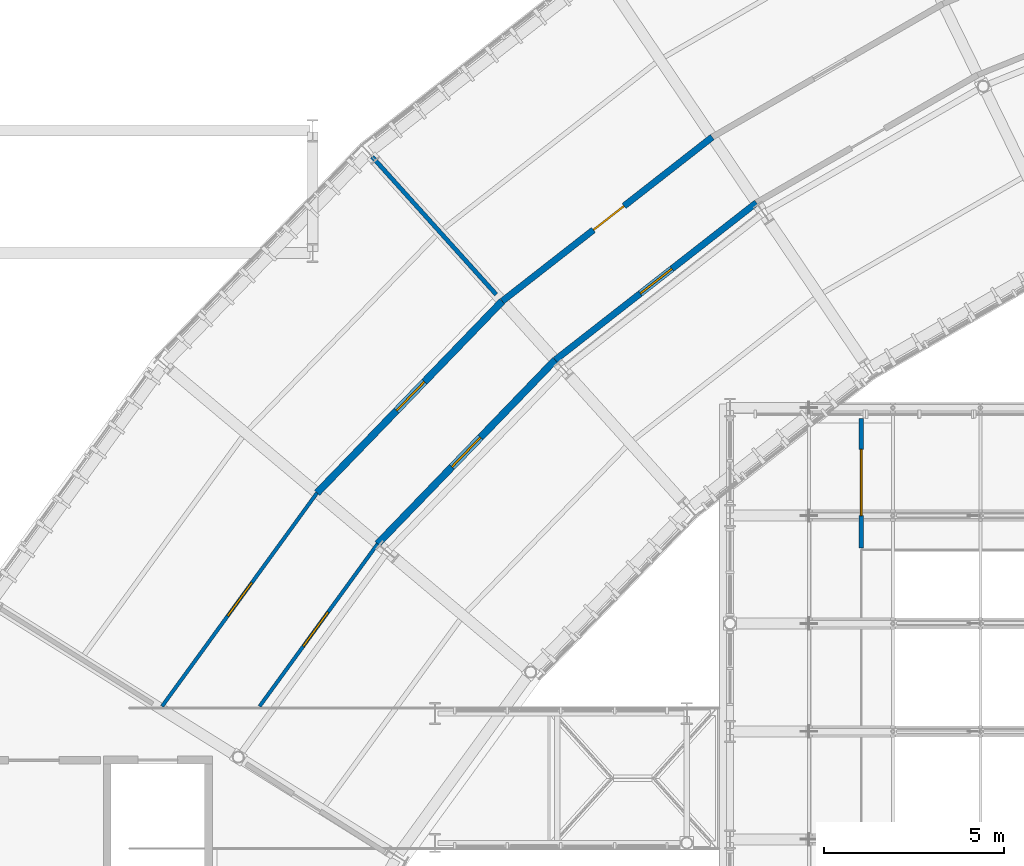
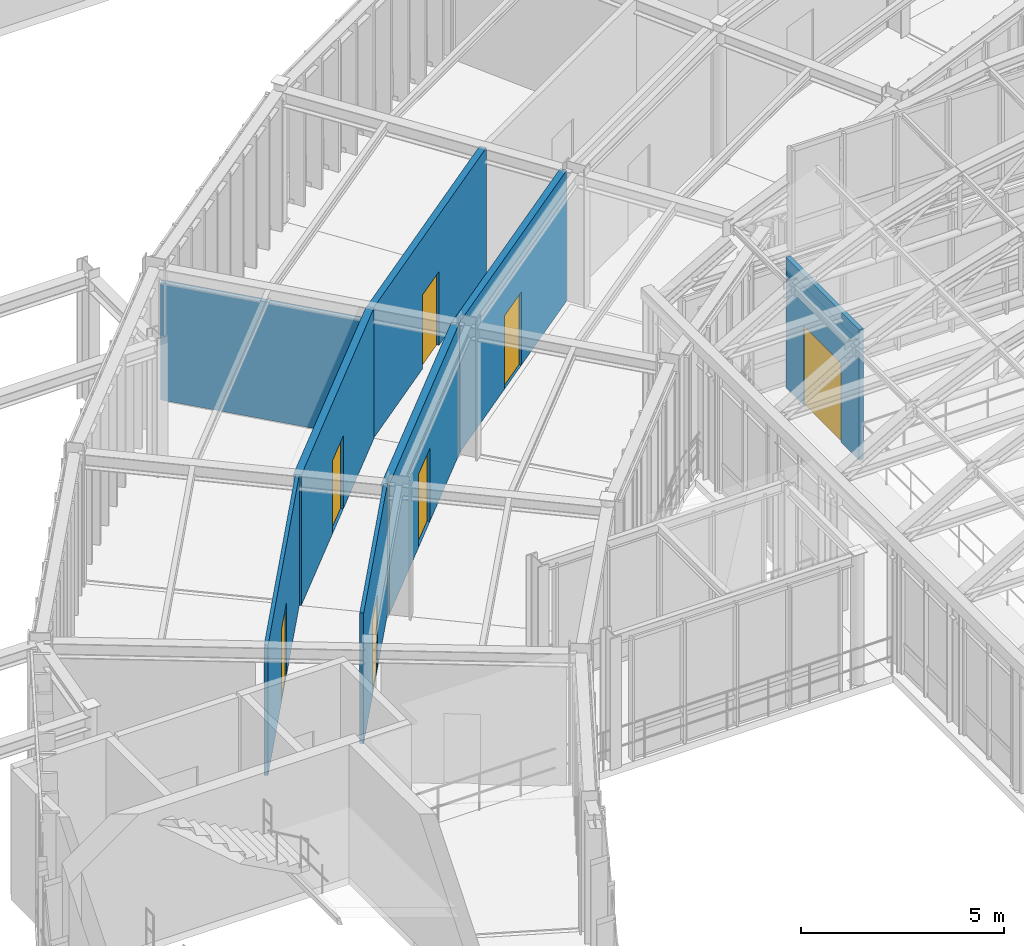
# One storey, part 127 of 148: 8 walls, 7 doors, 7 openings.
"""IFC4 building model written with IfcOpenShell, lengths in metres."""

from ifc_helpers import new_model, si_unit, direction, frame, frame_2d, origin, place, context, subcontext, project, spatial, rectangle, extrude, material, layer, layer_set, type_object, element, fill, save


model = new_model("IFC4")

# Units and contexts
model_context = context("Model", 3, precision=1e-05, world=origin(), true_north=direction((0.0, 1.0)))
body_context = subcontext(model_context, "Body", "Model", "MODEL_VIEW")
ifc_project = project(units=[si_unit("LENGTHUNIT", "METRE"), si_unit("AREAUNIT", "SQUARE_METRE"), si_unit("VOLUMEUNIT", "CUBIC_METRE"), si_unit("PLANEANGLEUNIT", "RADIAN"), si_unit("MASSUNIT", "GRAM", prefix="KILO"), si_unit("THERMODYNAMICTEMPERATUREUNIT", "KELVIN"), si_unit("POWERUNIT", "WATT")], contexts=[model_context])

# Site, building, storey
site_placement = place(None, origin())
site = spatial("IfcSite", under=ifc_project, at=site_placement, CompositionType="ELEMENT")
building_placement = place(site_placement, origin())
building = spatial("IfcBuilding", under=site, at=building_placement, Name="Solvatero Civic Police Headquarters", CompositionType="ELEMENT")
storey_placement = place(building_placement, frame((0.0, 0.0, 5.10009765625)))
storey = spatial("IfcBuildingStorey", under=building, at=storey_placement, Name="L01", CompositionType="ELEMENT", Elevation=5.10009765625)

# Wall, opening, door
ifc_material_1 = material(Name="Gypsum Acoustic Stud", Category="gypsum")
ifc_layer_1 = layer(ifc_material_1, 0.10009765625)
ifc_layer_set_1 = layer_set([ifc_layer_1], Name="Gypsum Acoustic Stud")
wall_type_1 = type_object("IfcWallType", Name="WL-PTN-100", PredefinedType="PARTITIONING", material=ifc_layer_set_1)
wall_1_placement = place(storey_placement, frame((55.00830078125, 58.718017578125, 0.0), z_axis=(0.0, 0.0, 1.0), x_axis=(-0.587773920785, -0.809025227076, 0.0)))
wall_1 = element("IfcWall", 1, at=wall_1_placement, inside=storey, type_object=wall_type_1, Name="Interior Partition WLP-L01-ARC-CIN-B08", PredefinedType="PARTITIONING", context=body_context, shape_type="SweptSolid", body=[
    extrude(rectangle(XDim=5.58447265625, YDim=0.10009765625, at=frame_2d((2.792236328125, 0.0))), origin(), (0.0, 0.0, 1.0), 3.919921875),
])
opening_1_placement = place(wall_1_placement, frame((2.344970703125, 0.0, 0.0)))
opening_1 = element("IfcOpeningElement", 2, at=opening_1_placement, cuts=wall_1, Name="Opening ID-11", PredefinedType="OPENING", context=body_context, shape_type="SweptSolid", body=[
    extrude(rectangle(XDim=1.179931640625, YDim=2.239990234375, at=frame_2d((0.58984375, 1.1201171875))), frame((0.0, 0.06005859375, 0.0), z_axis=(0.0, -1.0, 0.0), x_axis=(1.0, 0.0, 0.0)), (0.0, 0.0, 1.0), 0.1201171875),
])
ifc_material_2 = material(Name="Powder-Coated Steel", Category="steel")
door_type_1 = type_object("IfcDoorType", Name="DR-COR-118x224", OperationType="NOTDEFINED", PredefinedType="DOOR", material=ifc_material_2)
door_1_placement = place(opening_1_placement, origin())
door_1 = element("IfcDoor", 3, at=door_1_placement, inside=storey, type_object=door_type_1, Name="Interior Door DR-L01-ARC-IN-B08", OperationType="SINGLE_SWING_RIGHT", OverallHeight=2.239990234375, OverallWidth=1.179931640625, PredefinedType="DOOR", context=body_context, shape_type="SweptSolid", body=[
    extrude(rectangle(XDim=1.179931640625, YDim=2.239990234375, at=frame_2d((0.58984375, 1.1201171875))), frame((0.0, 0.02490234375, 0.0), z_axis=(0.0, -1.0, 0.0), x_axis=(1.0, 0.0, 0.0)), (0.0, 0.0, 1.0), 0.050048828125),
])
fill(opening_1, door_1)

wall_2_placement = place(storey_placement, frame((53.322998046875, 60.132080078125, 0.0), z_axis=(0.0, 0.0, 1.0), x_axis=(-0.587773694682, -0.809025391344, 0.0)))
wall_2 = element("IfcWall", 4, at=wall_2_placement, inside=storey, type_object=wall_type_1, Name="Interior Partition WLP-L01-ARC-COUT-B08", PredefinedType="PARTITIONING", context=body_context, shape_type="SweptSolid", body=[
    extrude(rectangle(XDim=7.33251953125, YDim=0.10009765625, at=frame_2d((3.666259765625, 0.0))), origin(), (0.0, 0.0, 1.0), 3.919921875),
])
opening_2_placement = place(wall_2_placement, frame((3.080078125, 0.0, 0.0)))
opening_2 = element("IfcOpeningElement", 5, at=opening_2_placement, cuts=wall_2, Name="Opening ID-10", PredefinedType="OPENING", context=body_context, shape_type="SweptSolid", body=[
    extrude(rectangle(XDim=1.14990234375, YDim=2.199951171875, at=frame_2d((0.574951171875, 1.10009765625))), frame((0.0, 0.06005859375, 0.0), z_axis=(0.0, -1.0, 0.0), x_axis=(1.0, 0.0, 0.0)), (0.0, 0.0, 1.0), 0.1201171875),
])
door_type_2 = type_object("IfcDoorType", Name="DR-COR-115x220", OperationType="NOTDEFINED", PredefinedType="DOOR", material=ifc_material_2)
door_2_placement = place(opening_2_placement, origin())
door_2 = element("IfcDoor", 6, at=door_2_placement, inside=storey, type_object=door_type_2, Name="Interior Door DR-L01-ARC-OUT-B08", OperationType="SINGLE_SWING_LEFT", OverallHeight=2.199951171875, OverallWidth=1.14990234375, PredefinedType="DOOR", context=body_context, shape_type="SweptSolid", body=[
    extrude(rectangle(XDim=1.14990234375, YDim=2.199951171875, at=frame_2d((0.574951171875, 1.10009765625))), frame((0.0, 0.02490234375, 0.0), z_axis=(0.0, -1.0, 0.0), x_axis=(1.0, 0.0, 0.0)), (0.0, 0.0, 1.0), 0.050048828125),
])
fill(opening_2, door_2)

ifc_layer_2 = layer(ifc_material_1, 0.1201171875)
ifc_layer_set_2 = layer_set([ifc_layer_2], Name="Gypsum Acoustic Stud")
wall_type_2 = type_object("IfcWallType", Name="WL-PTN-120", PredefinedType="PARTITIONING", material=ifc_layer_set_2)
wall_3_placement = place(storey_placement, frame((68.449951171875, 58.60009765625, 0.0), z_axis=(0.0, 0.0, 1.0), x_axis=(0.0, 1.0, 0.0)))
wall_3 = element("IfcWall", 7, at=wall_3_placement, inside=storey, type_object=wall_type_2, Name="Interior Partition WLP-L01-CMDN-W", PredefinedType="PARTITIONING", context=body_context, shape_type="SweptSolid", body=[
    extrude(rectangle(XDim=3.599853515625, YDim=0.1201171875, at=frame_2d((1.7998046875, 0.0))), origin(), (0.0, 0.0, 1.0), 3.919921875),
])
opening_3_placement = place(wall_3_placement, frame((0.89990234375, 0.0, 0.0)))
opening_3 = element("IfcOpeningElement", 8, at=opening_3_placement, cuts=wall_3, Name="Opening ID-18", PredefinedType="OPENING", context=body_context, shape_type="SweptSolid", body=[
    extrude(rectangle(XDim=1.840087890625, YDim=2.3798828125, at=frame_2d((0.919921875, 1.18994140625))), frame((0.0, 0.070068359375, 0.0), z_axis=(0.0, -1.0, 0.0), x_axis=(1.0, 0.0, 0.0)), (0.0, 0.0, 1.0), 0.14013671875),
])
door_type_3 = type_object("IfcDoorType", Name="DR-DBL-184x238", OperationType="NOTDEFINED", PredefinedType="DOOR", material=ifc_material_2)
door_3_placement = place(opening_3_placement, origin())
door_3 = element("IfcDoor", 9, at=door_3_placement, inside=storey, type_object=door_type_3, Name="Interior Door DR-L01-CMDN", OperationType="DOUBLE_DOOR_SINGLE_SWING", OverallHeight=2.3798828125, OverallWidth=1.840087890625, PredefinedType="DOOR", context=body_context, shape_type="SweptSolid", body=[
    extrude(rectangle(XDim=1.840087890625, YDim=2.3798828125, at=frame_2d((0.919921875, 1.18994140625))), frame((0.0, 0.02490234375, 0.0), z_axis=(0.0, -1.0, 0.0), x_axis=(1.0, 0.0, 0.0)), (0.0, 0.0, 1.0), 0.050048828125),
])
fill(opening_3, door_3)

# Wall
wall_4_placement = place(storey_placement, frame((58.302001953125, 65.646728515625, 0.0), z_axis=(0.0, 0.0, 1.0), x_axis=(-0.669114002905, 0.743159774959, 0.0)))
element("IfcWall", 10, at=wall_4_placement, inside=storey, type_object=wall_type_2, Name="Interior Partition WLP-L01-ARC-RAD-B06", PredefinedType="PARTITIONING", context=body_context, shape_type="SweptSolid", body=[
    extrude(rectangle(XDim=5.150146484375, YDim=0.1201171875, at=frame_2d((2.5751953125, 0.0))), origin(), (0.0, 0.0, 1.0), 3.52978515625),
])

# Wall, opening, door
ifc_material_3 = material(Name="Concrete Blockwork", Category="masonry")
ifc_layer_3 = layer(ifc_material_3, 0.179931640625)
ifc_layer_set_3 = layer_set([ifc_layer_3], Name="Concrete Blockwork")
wall_type_3 = type_object("IfcWallType", Name="WL-PTN-180", PredefinedType="PARTITIONING", material=ifc_layer_set_3)
wall_5_placement = place(storey_placement, frame((65.537109375, 68.197998046875, 0.0), z_axis=(0.0, 0.0, 1.0), x_axis=(-0.788011863809, -0.615660054329, 0.0)))
wall_5 = element("IfcWall", 11, at=wall_5_placement, inside=storey, type_object=wall_type_3, Name="Interior Partition WLP-L01-ARC-CIN-B06", PredefinedType="PARTITIONING", context=body_context, shape_type="SweptSolid", body=[
    extrude(rectangle(XDim=7.10107421875, YDim=0.179931640625, at=frame_2d((3.550537109375, 0.0))), origin(), (0.0, 0.0, 1.0), 3.919921875),
])
opening_4_placement = place(wall_5_placement, frame((2.98193359375, 0.0, 0.0)))
opening_4 = element("IfcOpeningElement", 12, at=opening_4_placement, cuts=wall_5, Name="Opening ID-09", PredefinedType="OPENING", context=body_context, shape_type="SweptSolid", body=[
    extrude(rectangle(XDim=1.1201171875, YDim=2.199951171875, at=frame_2d((0.56005859375, 1.10009765625))), frame((0.0, 0.099853515625, 0.0), z_axis=(0.0, -1.0, 0.0), x_axis=(1.0, 0.0, 0.0)), (0.0, 0.0, 1.0), 0.199951171875),
])
door_type_4 = type_object("IfcDoorType", Name="DR-PLT-112x220", OperationType="NOTDEFINED", PredefinedType="DOOR", material=ifc_material_2)
door_4_placement = place(opening_4_placement, origin())
door_4 = element("IfcDoor", 13, at=door_4_placement, inside=storey, type_object=door_type_4, Name="Interior Door DR-L01-ARC-IN-B06", OperationType="SINGLE_SWING_RIGHT", OverallHeight=2.199951171875, OverallWidth=1.1201171875, PredefinedType="DOOR", context=body_context, shape_type="SweptSolid", body=[
    extrude(rectangle(XDim=1.1201171875, YDim=2.199951171875, at=frame_2d((0.56005859375, 1.10009765625))), frame((0.0, 0.02490234375, 0.0), z_axis=(0.0, -1.0, 0.0), x_axis=(1.0, 0.0, 0.0)), (0.0, 0.0, 1.0), 0.050048828125),
])
fill(opening_4, door_4)

wall_6_placement = place(storey_placement, frame((64.306884765625, 70.02197265625, 0.0), z_axis=(0.0, 0.0, 1.0), x_axis=(-0.787999891273, -0.615675378226, 0.0)))
wall_6 = element("IfcWall", 14, at=wall_6_placement, inside=storey, type_object=wall_type_3, Name="Interior Partition WLP-L01-ARC-COUT-B06", PredefinedType="PARTITIONING", context=body_context, shape_type="SweptSolid", body=[
    extrude(rectangle(XDim=7.408203125, YDim=0.179931640625, at=frame_2d((3.7041015625, 0.0))), origin(), (0.0, 0.0, 1.0), 3.919921875),
])
opening_5_placement = place(wall_6_placement, frame((3.111083984375, 0.0, 0.0)))
opening_5 = element("IfcOpeningElement", 15, at=opening_5_placement, cuts=wall_6, Name="Opening ID-08", PredefinedType="OPENING", context=body_context, shape_type="SweptSolid", body=[
    extrude(rectangle(XDim=1.080078125, YDim=2.219970703125, at=frame_2d((0.5400390625, 1.10986328125))), frame((0.0, 0.099853515625, 0.0), z_axis=(0.0, -1.0, 0.0), x_axis=(1.0, 0.0, 0.0)), (0.0, 0.0, 1.0), 0.199951171875),
])
door_type_5 = type_object("IfcDoorType", Name="DR-LAB-108x222", OperationType="NOTDEFINED", PredefinedType="DOOR", material=ifc_material_2)
door_5_placement = place(opening_5_placement, origin())
door_5 = element("IfcDoor", 16, at=door_5_placement, inside=storey, type_object=door_type_5, Name="Interior Door DR-L01-ARC-OUT-B06", OperationType="SINGLE_SWING_LEFT", OverallHeight=2.219970703125, OverallWidth=1.080078125, PredefinedType="DOOR", context=body_context, shape_type="SweptSolid", body=[
    extrude(rectangle(XDim=1.080078125, YDim=2.219970703125, at=frame_2d((0.5400390625, 1.10986328125))), frame((0.0, 0.02490234375, 0.0), z_axis=(0.0, -1.0, 0.0), x_axis=(1.0, 0.0, 0.0)), (0.0, 0.0, 1.0), 0.050048828125),
])
fill(opening_5, door_5)

ifc_layer_4 = layer(ifc_material_3, 0.199951171875)
ifc_layer_set_4 = layer_set([ifc_layer_4], Name="Concrete Blockwork")
wall_type_4 = type_object("IfcWallType", Name="WL-PTN-200", PredefinedType="PARTITIONING", material=ifc_layer_set_4)
wall_7_placement = place(storey_placement, frame((59.94140625, 63.826171875, 0.0), z_axis=(0.0, 0.0, 1.0), x_axis=(-0.694674270111, -0.719324445884, 0.0)))
wall_7 = element("IfcWall", 17, at=wall_7_placement, inside=storey, type_object=wall_type_4, Name="Interior Partition WLP-L01-ARC-CIN-B07", PredefinedType="PARTITIONING", context=body_context, shape_type="SweptSolid", body=[
    extrude(rectangle(XDim=7.101318359375, YDim=0.199951171875, at=frame_2d((3.55078125, 0.0))), origin(), (0.0, 0.0, 1.0), 3.919921875),
])
opening_6_placement = place(wall_7_placement, frame((2.98291015625, 0.0, 0.0)))
opening_6 = element("IfcOpeningElement", 18, at=opening_6_placement, cuts=wall_7, Name="Opening ID-10", PredefinedType="OPENING", context=body_context, shape_type="SweptSolid", body=[
    extrude(rectangle(XDim=1.14990234375, YDim=2.199951171875, at=frame_2d((0.574951171875, 1.10009765625))), frame((0.0, 0.10986328125, 0.0), z_axis=(0.0, -1.0, 0.0), x_axis=(1.0, 0.0, 0.0)), (0.0, 0.0, 1.0), 0.219970703125),
])
door_6_placement = place(opening_6_placement, origin())
door_6 = element("IfcDoor", 19, at=door_6_placement, inside=storey, type_object=door_type_2, Name="Interior Door DR-L01-ARC-IN-B07", OperationType="SINGLE_SWING_RIGHT", OverallHeight=2.199951171875, OverallWidth=1.14990234375, PredefinedType="DOOR", context=body_context, shape_type="SweptSolid", body=[
    extrude(rectangle(XDim=1.14990234375, YDim=2.199951171875, at=frame_2d((0.574951171875, 1.10009765625))), frame((0.0, 0.02490234375, 0.0), z_axis=(0.0, -1.0, 0.0), x_axis=(1.0, 0.0, 0.0)), (0.0, 0.0, 1.0), 0.050048828125),
])
fill(opening_6, door_6)

wall_8_placement = place(storey_placement, frame((58.46923828125, 65.4609375, 0.0), z_axis=(0.0, 0.0, 1.0), x_axis=(-0.694673907436, -0.71932479613, 0.0)))
wall_8 = element("IfcWall", 20, at=wall_8_placement, inside=storey, type_object=wall_type_4, Name="Interior Partition WLP-L01-ARC-COUT-B07", PredefinedType="PARTITIONING", context=body_context, shape_type="SweptSolid", body=[
    extrude(rectangle(XDim=7.408203125, YDim=0.199951171875, at=frame_2d((3.7041015625, 0.0))), origin(), (0.0, 0.0, 1.0), 3.919921875),
])
opening_7_placement = place(wall_8_placement, frame((3.111083984375, 0.0, 0.0)))
opening_7 = element("IfcOpeningElement", 21, at=opening_7_placement, cuts=wall_8, Name="Opening ID-09", PredefinedType="OPENING", context=body_context, shape_type="SweptSolid", body=[
    extrude(rectangle(XDim=1.1201171875, YDim=2.199951171875, at=frame_2d((0.56005859375, 1.10009765625))), frame((0.0, 0.10986328125, 0.0), z_axis=(0.0, -1.0, 0.0), x_axis=(1.0, 0.0, 0.0)), (0.0, 0.0, 1.0), 0.219970703125),
])
door_7_placement = place(opening_7_placement, origin())
door_7 = element("IfcDoor", 22, at=door_7_placement, inside=storey, type_object=door_type_4, Name="Interior Door DR-L01-ARC-OUT-B07", OperationType="SINGLE_SWING_LEFT", OverallHeight=2.199951171875, OverallWidth=1.1201171875, PredefinedType="DOOR", context=body_context, shape_type="SweptSolid", body=[
    extrude(rectangle(XDim=1.1201171875, YDim=2.199951171875, at=frame_2d((0.56005859375, 1.10009765625))), frame((0.0, 0.02490234375, 0.0), z_axis=(0.0, -1.0, 0.0), x_axis=(1.0, 0.0, 0.0)), (0.0, 0.0, 1.0), 0.050048828125),
])
fill(opening_7, door_7)

save(model, "model.ifc")
